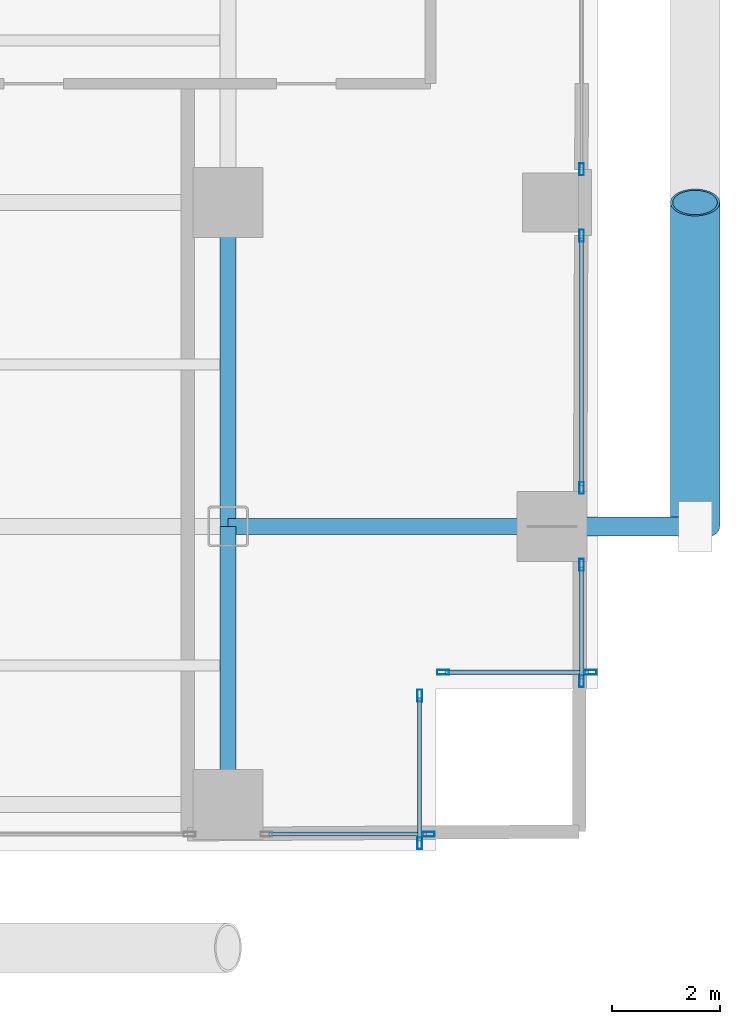
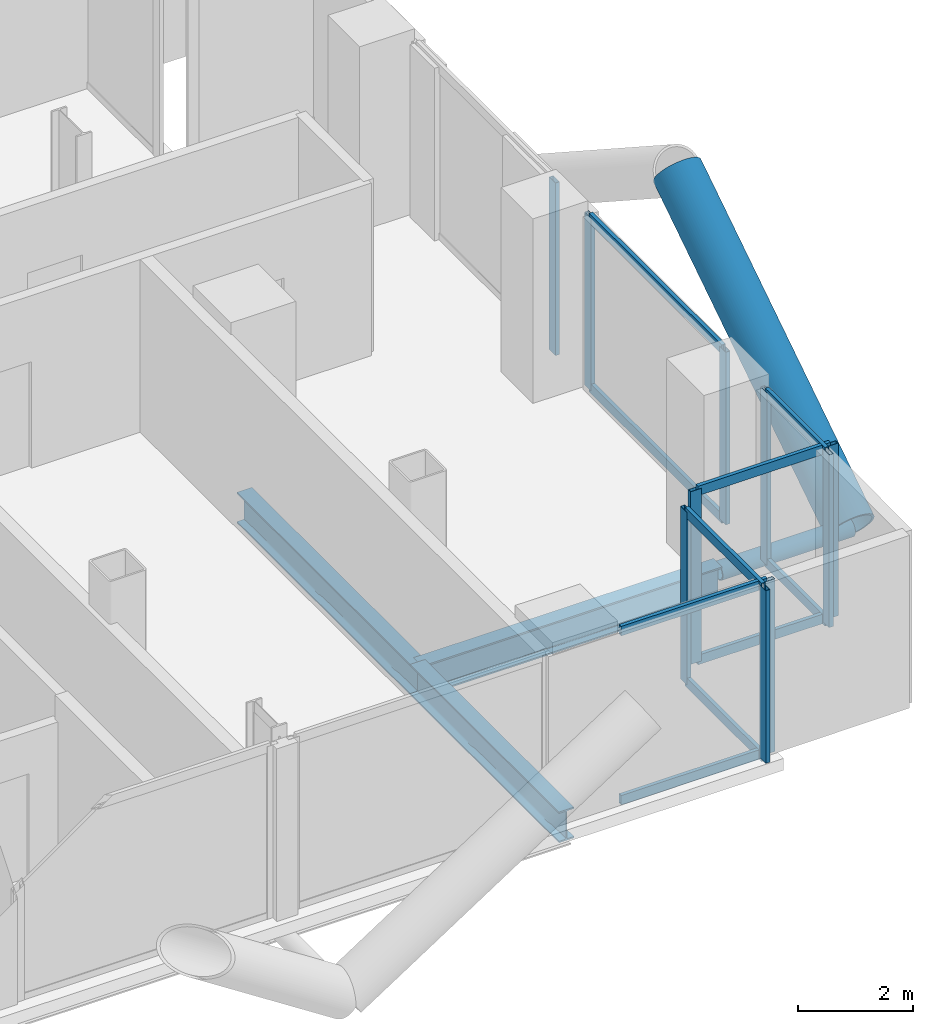
# One storey, part 10 of 25: 22 members, 3 beams, 6 elements without a shape of their own.
"""IFC4 building model written with IfcOpenShell, lengths in metres."""

from ifc_helpers import new_model, si_unit, direction, frame, origin, origin_2d, place, context, subcontext, project, spatial, hollow_rectangle, hollow_circle, i_section, extrude, material, layer, layer_set, material_profile, profile_set, type_object, element, aggregate, save


model = new_model("IFC4")

# Units and contexts
model_context = context("Model", 3, precision=1e-05, world=origin(), true_north=direction((0.0, 1.0)))
body_context = subcontext(model_context, "Body", "Model", "MODEL_VIEW")
ifc_project = project(units=[si_unit("LENGTHUNIT", "METRE"), si_unit("AREAUNIT", "SQUARE_METRE"), si_unit("VOLUMEUNIT", "CUBIC_METRE"), si_unit("PLANEANGLEUNIT", "RADIAN"), si_unit("MASSUNIT", "GRAM", prefix="KILO"), si_unit("THERMODYNAMICTEMPERATUREUNIT", "KELVIN"), si_unit("POWERUNIT", "WATT")], contexts=[model_context])

# Site, building, storey
site_placement = place(None, origin())
site = spatial("IfcSite", under=ifc_project, at=site_placement, CompositionType="ELEMENT")
building_placement = place(site_placement, origin())
building = spatial("IfcBuilding", under=site, at=building_placement, Name="Svarakhadi Broadcast Tower", CompositionType="ELEMENT")
storey_placement = place(building_placement, frame((0.0, 0.0, 79.199951171875)))
storey = spatial("IfcBuildingStorey", under=building, at=storey_placement, Name="L18", CompositionType="ELEMENT", Elevation=79.199951171875)

# Curtain wall, member
ifc_material_1 = material(Name="Anodised Bronze Aluminium AA 6063-T6", Category="aluminium")
ifc_layer = layer(ifc_material_1, 0.219970703125)
ifc_layer_set = layer_set([ifc_layer], Name="Anodised Bronze Aluminium AA 6063-T6")
curtain_wall_type = type_object("IfcCurtainWallType", Name="CW_Sys_02", PredefinedType="NOTDEFINED", material=ifc_layer_set)
curtain_wall_1_placement = place(storey_placement, origin())
curtain_wall_1 = element("IfcCurtainWall", 1, at=curtain_wall_1_placement, inside=storey, type_object=curtain_wall_type, Name="L18 Unitised Facade Curtain Wall 13 Bay 2", PredefinedType="NOTDEFINED")
ifc_material_profile_1 = material_profile(ifc_material_1, hollow_rectangle(XDim=0.0849609375, YDim=0.219970703125, WallThickness=0.006103515625, at=origin_2d()), Name="ALU MULLION 220x85x6")
ifc_profile_set_1 = profile_set([ifc_material_profile_1], Name="Anodised Bronze Aluminium AA 6063-T6")
member_type_1 = type_object("IfcMemberType", Name="CW_Sys_02_Mul", PredefinedType="MULLION", material=ifc_profile_set_1)
member_1_placement = place(storey_placement, frame((53.699951171875, 12.612548828125, 0.0), z_axis=(0.0, 0.0, 1.0), x_axis=(1.0, 0.0, 0.0)))
member_1 = element("IfcMember", 2, at=member_1_placement, type_object=member_type_1, Name="CW-02 mullion 2", PredefinedType="MULLION", context=body_context, shape_type="SweptSolid", body=[
    extrude(hollow_rectangle(XDim=0.0849609375, YDim=0.219970703125, WallThickness=0.006103515625, at=origin_2d()), origin(), (0.0, 0.0, 1.0), 3.650146484375),
])
aggregate(curtain_wall_1, [member_1])

# Curtain wall, members
curtain_wall_2_placement = place(storey_placement, origin())
curtain_wall_2 = element("IfcCurtainWall", 3, at=curtain_wall_2_placement, inside=storey, type_object=curtain_wall_type, Name="L18 Unitised Facade Curtain Wall 13 Bay 3", PredefinedType="NOTDEFINED")
member_2_placement = place(storey_placement, frame((53.699951171875, 11.387451171875, 0.0), z_axis=(0.0, 0.0, 1.0), x_axis=(1.0, 0.0, 0.0)))
member_2 = element("IfcMember", 4, at=member_2_placement, type_object=member_type_1, Name="CW-02 mullion 1", PredefinedType="MULLION", context=body_context, shape_type="SweptSolid", body=[
    extrude(hollow_rectangle(XDim=0.0849609375, YDim=0.219970703125, WallThickness=0.006103515625, at=origin_2d()), origin(), (0.0, 0.0, 1.0), 3.650146484375),
])
member_3_placement = place(storey_placement, frame((53.699951171875, 6.71240234375, 0.0), z_axis=(0.0, 0.0, 1.0), x_axis=(1.0, 0.0, 0.0)))
member_3 = element("IfcMember", 5, at=member_3_placement, type_object=member_type_1, Name="CW-02 mullion 2", PredefinedType="MULLION", context=body_context, shape_type="SweptSolid", body=[
    extrude(hollow_rectangle(XDim=0.0849609375, YDim=0.219970703125, WallThickness=0.006103515625, at=origin_2d()), origin(), (0.0, 0.0, 1.0), 3.650146484375),
])

curtain_wall_3_placement = place(storey_placement, origin())
curtain_wall_3 = element("IfcCurtainWall", 6, at=curtain_wall_3_placement, inside=storey, type_object=curtain_wall_type, Name="L18 Unitised Facade Curtain Wall 13 Bay 4", PredefinedType="NOTDEFINED")
member_4_placement = place(storey_placement, frame((53.699951171875, 5.28759765625, 0.0), z_axis=(0.0, 0.0, 1.0), x_axis=(1.0, 0.0, 0.0)))
member_4 = element("IfcMember", 7, at=member_4_placement, type_object=member_type_1, Name="CW-02 mullion 1", PredefinedType="MULLION", context=body_context, shape_type="SweptSolid", body=[
    extrude(hollow_rectangle(XDim=0.0849609375, YDim=0.219970703125, WallThickness=0.006103515625, at=origin_2d()), origin(), (0.0, 0.0, 1.0), 3.650146484375),
])
member_5_placement = place(storey_placement, frame((53.699951171875, 3.132568359375, 0.0), z_axis=(0.0, 0.0, 1.0), x_axis=(1.0, 0.0, 0.0)))
member_5 = element("IfcMember", 8, at=member_5_placement, type_object=member_type_1, Name="CW-02 mullion 2", PredefinedType="MULLION", context=body_context, shape_type="SweptSolid", body=[
    extrude(hollow_rectangle(XDim=0.0849609375, YDim=0.219970703125, WallThickness=0.006103515625, at=origin_2d()), origin(), (0.0, 0.0, 1.0), 3.650146484375),
])

curtain_wall_4_placement = place(storey_placement, origin())
curtain_wall_4 = element("IfcCurtainWall", 9, at=curtain_wall_4_placement, inside=storey, type_object=curtain_wall_type, Name="L18 Unitised Facade Curtain Wall 14", PredefinedType="NOTDEFINED")
member_6_placement = place(storey_placement, frame((53.867431640625, 3.300048828125, 0.0), z_axis=(0.0, 0.0, 1.0), x_axis=(0.0, -1.0, 0.0)))
member_6 = element("IfcMember", 10, at=member_6_placement, type_object=member_type_1, Name="CW-02 mullion 1", PredefinedType="MULLION", context=body_context, shape_type="SweptSolid", body=[
    extrude(hollow_rectangle(XDim=0.0849609375, YDim=0.219970703125, WallThickness=0.006103515625, at=origin_2d()), origin(), (0.0, 0.0, 1.0), 3.650146484375),
])
member_7_placement = place(storey_placement, frame((51.132568359375, 3.300048828125, 0.0), z_axis=(0.0, 0.0, 1.0), x_axis=(0.0, -1.0, 0.0)))
member_7 = element("IfcMember", 11, at=member_7_placement, type_object=member_type_1, Name="CW-02 mullion 2", PredefinedType="MULLION", context=body_context, shape_type="SweptSolid", body=[
    extrude(hollow_rectangle(XDim=0.0849609375, YDim=0.219970703125, WallThickness=0.006103515625, at=origin_2d()), origin(), (0.0, 0.0, 1.0), 3.650146484375),
])

curtain_wall_5_placement = place(storey_placement, origin())
curtain_wall_5 = element("IfcCurtainWall", 12, at=curtain_wall_5_placement, inside=storey, type_object=curtain_wall_type, Name="L18 Unitised Facade Curtain Wall 15", PredefinedType="NOTDEFINED")
member_8_placement = place(storey_placement, frame((50.699951171875, 2.867431640625, 0.0), z_axis=(0.0, 0.0, 1.0), x_axis=(1.0, 0.0, 0.0)))
member_8 = element("IfcMember", 13, at=member_8_placement, type_object=member_type_1, Name="CW-02 mullion 1", PredefinedType="MULLION", context=body_context, shape_type="SweptSolid", body=[
    extrude(hollow_rectangle(XDim=0.0849609375, YDim=0.219970703125, WallThickness=0.006103515625, at=origin_2d()), origin(), (0.0, 0.0, 1.0), 3.650146484375),
])
member_9_placement = place(storey_placement, frame((50.699951171875, 0.132568359375, 0.0), z_axis=(0.0, 0.0, 1.0), x_axis=(1.0, 0.0, 0.0)))
member_9 = element("IfcMember", 14, at=member_9_placement, type_object=member_type_1, Name="CW-02 mullion 2", PredefinedType="MULLION", context=body_context, shape_type="SweptSolid", body=[
    extrude(hollow_rectangle(XDim=0.0849609375, YDim=0.219970703125, WallThickness=0.006103515625, at=origin_2d()), origin(), (0.0, 0.0, 1.0), 3.650146484375),
])

# Curtain wall, member
curtain_wall_6_placement = place(storey_placement, origin())
curtain_wall_6 = element("IfcCurtainWall", 15, at=curtain_wall_6_placement, inside=storey, type_object=curtain_wall_type, Name="L18 South Curtain Wall 16 Bay 1", PredefinedType="NOTDEFINED")
member_10_placement = place(storey_placement, frame((50.867431640625, 0.300048828125, 0.0), z_axis=(0.0, 0.0, 1.0), x_axis=(0.0, -1.0, 0.0)))
member_10 = element("IfcMember", 16, at=member_10_placement, type_object=member_type_1, Name="CW-02 mullion 1", PredefinedType="MULLION", context=body_context, shape_type="SweptSolid", body=[
    extrude(hollow_rectangle(XDim=0.0849609375, YDim=0.219970703125, WallThickness=0.006103515625, at=origin_2d()), origin(), (0.0, 0.0, 1.0), 3.650146484375),
])

# Member
ifc_material_profile_2 = material_profile(ifc_material_1, hollow_rectangle(XDim=0.074951171875, YDim=0.199951171875, WallThickness=0.0048828125, at=origin_2d()), Name="ALU TRANSOM 200x75x5")
ifc_profile_set_2 = profile_set([ifc_material_profile_2], Name="Anodised Bronze Aluminium AA 6063-T6")
member_type_2 = type_object("IfcMemberType", Name="CW_Sys_02_Trn", PredefinedType="USERDEFINED", material=ifc_profile_set_2)
member_11_placement = place(storey_placement, frame((53.699951171875, 11.344970703125, 0.03759765625), z_axis=(0.0, -1.0, 0.0), x_axis=(1.0, 0.0, 0.0)))
member_11 = element("IfcMember", 17, at=member_11_placement, type_object=member_type_2, Name="CW-02 transom 1.1", ObjectType="TRANSOM", PredefinedType="USERDEFINED", context=body_context, shape_type="SweptSolid", body=[
    extrude(hollow_rectangle(XDim=0.074951171875, YDim=0.199951171875, WallThickness=0.0048828125, at=origin_2d()), origin(), (0.0, 0.0, 1.0), 4.590087890625),
])

member_12_placement = place(storey_placement, frame((53.699951171875, 11.344970703125, 3.612548828125), z_axis=(0.0, -1.0, 0.0), x_axis=(1.0, 0.0, 0.0)))
member_12 = element("IfcMember", 18, at=member_12_placement, type_object=member_type_2, Name="CW-02 transom 1.2", ObjectType="TRANSOM", PredefinedType="USERDEFINED", context=body_context, shape_type="SweptSolid", body=[
    extrude(hollow_rectangle(XDim=0.074951171875, YDim=0.199951171875, WallThickness=0.0048828125, at=origin_2d()), origin(), (0.0, 0.0, 1.0), 4.590087890625),
])

aggregate(curtain_wall_2, [member_2, member_3, member_11, member_12])

member_13_placement = place(storey_placement, frame((53.699951171875, 5.2451171875, 0.03759765625), z_axis=(0.0, -1.0, 0.0), x_axis=(1.0, 0.0, 0.0)))
member_13 = element("IfcMember", 19, at=member_13_placement, type_object=member_type_2, Name="CW-02 transom 1.1", ObjectType="TRANSOM", PredefinedType="USERDEFINED", context=body_context, shape_type="SweptSolid", body=[
    extrude(hollow_rectangle(XDim=0.074951171875, YDim=0.199951171875, WallThickness=0.0048828125, at=origin_2d()), origin(), (0.0, 0.0, 1.0), 2.070068359375),
])

member_14_placement = place(storey_placement, frame((53.699951171875, 5.2451171875, 3.612548828125), z_axis=(0.0, -1.0, 0.0), x_axis=(1.0, 0.0, 0.0)))
member_14 = element("IfcMember", 20, at=member_14_placement, type_object=member_type_2, Name="CW-02 transom 1.2", ObjectType="TRANSOM", PredefinedType="USERDEFINED", context=body_context, shape_type="SweptSolid", body=[
    extrude(hollow_rectangle(XDim=0.074951171875, YDim=0.199951171875, WallThickness=0.0048828125, at=origin_2d()), origin(), (0.0, 0.0, 1.0), 2.070068359375),
])

aggregate(curtain_wall_3, [member_4, member_5, member_13, member_14])

member_15_placement = place(storey_placement, frame((53.824951171875, 3.300048828125, 0.03759765625), z_axis=(-1.0, 0.0, 0.0), x_axis=(0.0, -1.0, 0.0)))
member_15 = element("IfcMember", 21, at=member_15_placement, type_object=member_type_2, Name="CW-02 transom 1.1", ObjectType="TRANSOM", PredefinedType="USERDEFINED", context=body_context, shape_type="SweptSolid", body=[
    extrude(hollow_rectangle(XDim=0.074951171875, YDim=0.199951171875, WallThickness=0.0048828125, at=origin_2d()), origin(), (0.0, 0.0, 1.0), 2.64990234375),
])

member_16_placement = place(storey_placement, frame((53.824951171875, 3.300048828125, 3.612548828125), z_axis=(-1.0, 0.0, 0.0), x_axis=(0.0, -1.0, 0.0)))
member_16 = element("IfcMember", 22, at=member_16_placement, type_object=member_type_2, Name="CW-02 transom 1.2", ObjectType="TRANSOM", PredefinedType="USERDEFINED", context=body_context, shape_type="SweptSolid", body=[
    extrude(hollow_rectangle(XDim=0.074951171875, YDim=0.199951171875, WallThickness=0.0048828125, at=origin_2d()), origin(), (0.0, 0.0, 1.0), 2.64990234375),
])

aggregate(curtain_wall_4, [member_6, member_7, member_15, member_16])

member_17_placement = place(storey_placement, frame((50.699951171875, 2.824951171875, 0.03759765625), z_axis=(0.0, -1.0, 0.0), x_axis=(1.0, 0.0, 0.0)))
member_17 = element("IfcMember", 23, at=member_17_placement, type_object=member_type_2, Name="CW-02 transom 1.1", ObjectType="TRANSOM", PredefinedType="USERDEFINED", context=body_context, shape_type="SweptSolid", body=[
    extrude(hollow_rectangle(XDim=0.074951171875, YDim=0.199951171875, WallThickness=0.0048828125, at=origin_2d()), origin(), (0.0, 0.0, 1.0), 2.64990234375),
])

member_18_placement = place(storey_placement, frame((50.699951171875, 2.824951171875, 3.612548828125), z_axis=(0.0, -1.0, 0.0), x_axis=(1.0, 0.0, 0.0)))
member_18 = element("IfcMember", 24, at=member_18_placement, type_object=member_type_2, Name="CW-02 transom 1.2", ObjectType="TRANSOM", PredefinedType="USERDEFINED", context=body_context, shape_type="SweptSolid", body=[
    extrude(hollow_rectangle(XDim=0.074951171875, YDim=0.199951171875, WallThickness=0.0048828125, at=origin_2d()), origin(), (0.0, 0.0, 1.0), 2.64990234375),
])

aggregate(curtain_wall_5, [member_8, member_9, member_17, member_18])

member_19_placement = place(storey_placement, frame((50.824951171875, 0.300048828125, 0.03759765625), z_axis=(-1.0, 0.0, 0.0), x_axis=(0.0, -1.0, 0.0)))
member_19 = element("IfcMember", 25, at=member_19_placement, type_object=member_type_2, Name="CW-02 transom 1.1", ObjectType="TRANSOM", PredefinedType="USERDEFINED", context=body_context, shape_type="SweptSolid", body=[
    extrude(hollow_rectangle(XDim=0.074951171875, YDim=0.199951171875, WallThickness=0.0048828125, at=origin_2d()), origin(), (0.0, 0.0, 1.0), 2.919921875),
])

member_20_placement = place(storey_placement, frame((50.824951171875, 0.300048828125, 3.612548828125), z_axis=(-1.0, 0.0, 0.0), x_axis=(0.0, -1.0, 0.0)))
member_20 = element("IfcMember", 26, at=member_20_placement, type_object=member_type_2, Name="CW-02 transom 1.2", ObjectType="TRANSOM", PredefinedType="USERDEFINED", context=body_context, shape_type="SweptSolid", body=[
    extrude(hollow_rectangle(XDim=0.074951171875, YDim=0.199951171875, WallThickness=0.0048828125, at=origin_2d()), origin(), (0.0, 0.0, 1.0), 2.919921875),
])

aggregate(curtain_wall_6, [member_10, member_19, member_20])

# Members
ifc_material_2 = material(Name="Steel S460ML (IS 2062 E450BR)", Category="steel")
ifc_material_profile_3 = material_profile(ifc_material_2, hollow_circle(Radius=0.45703125, WallThickness=0.044921875, at=origin_2d()), Name="CHS 914x45")
ifc_profile_set_3 = profile_set([ifc_material_profile_3], Name="Steel S460ML (IS 2062 E450BR)")
member_type_3 = type_object("IfcMemberType", Name="Exo_Brace_CHS914", PredefinedType="BRACE", material=ifc_profile_set_3)
member_21_placement = place(storey_placement, frame((55.800048828125, 6.0, -0.427734375), z_axis=(0.0, 0.838449851971, 0.544978757136), x_axis=(-1.0, 0.0, 0.0)))
element("IfcMember", 27, at=member_21_placement, inside=storey, type_object=member_type_3, Name="L18 Exposed Bronze Exoskeleton Diagonal E08", PredefinedType="BRACE", context=body_context, shape_type="SweptSolid", body=[
    extrude(hollow_circle(Radius=0.45703125, WallThickness=0.044921875, at=origin_2d()), origin(), (0.0, 0.0, 1.0), 7.156005859375),
])
ifc_material_profile_4 = material_profile(ifc_material_2, hollow_circle(Radius=0.177734375, WallThickness=0.02001953125, at=origin_2d()), Name="CHS 355.6x20")
ifc_profile_set_4 = profile_set([ifc_material_profile_4], Name="Steel S460ML (IS 2062 E450BR)")
member_type_4 = type_object("IfcMemberType", Name="Exo_Radial_Strut_Z1", PredefinedType="STRUT", material=ifc_profile_set_4)
member_22_placement = place(storey_placement, frame((55.800048828125, 6.0, -0.427734375), z_axis=(-1.0, 0.0, 0.0), x_axis=(0.0, -1.0, 0.0)))
element("IfcMember", 28, at=member_22_placement, inside=storey, type_object=member_type_4, Name="L18 Exoskeleton Radial Tie Strut E09", PredefinedType="STRUT", context=body_context, shape_type="SweptSolid", body=[
    extrude(hollow_circle(Radius=0.177734375, WallThickness=0.02001953125, at=origin_2d()), origin(), (0.0, 0.0, 1.0), 2.650146484375),
])

# Beams
ifc_material_3 = material(Name="Steel S355J2 (IS 2062 E350C)", Category="steel")
ifc_material_profile_5 = material_profile(ifc_material_3, i_section(OverallWidth=0.300048828125, OverallDepth=0.64990234375, WebThickness=0.01611328125, FlangeThickness=0.031005859375, FilletRadius=0.027099609375, at=origin_2d()), Name="WPB 650x300x225")
ifc_profile_set_5 = profile_set([ifc_material_profile_5], Name="Steel S355J2 (IS 2062 E350C)")
beam_type = type_object("IfcBeamType", Name="Girder_WPB650", PredefinedType="USERDEFINED", material=ifc_profile_set_5)
beam_1_placement = place(storey_placement, frame((47.14990234375, 6.0, -0.574951171875), z_axis=(1.0, 0.0, 0.0), x_axis=(0.0, 1.0, 0.0)))
element("IfcBeam", 29, at=beam_1_placement, inside=storey, type_object=beam_type, Name="L18 Primary E-W Girder G018", ObjectType="GIRDER", PredefinedType="USERDEFINED", context=body_context, shape_type="SweptSolid", body=[
    extrude(i_section(OverallWidth=0.300048828125, OverallDepth=0.64990234375, WebThickness=0.01611328125, FlangeThickness=0.031005859375, FilletRadius=0.027099609375, at=origin_2d()), origin(), (0.0, 0.0, 1.0), 6.0),
])
beam_2_placement = place(storey_placement, frame((47.14990234375, 0.85009765625, -0.574951171875), z_axis=(0.0, 1.0, 0.0), x_axis=(-1.0, 0.0, 0.0)))
element("IfcBeam", 30, at=beam_2_placement, inside=storey, type_object=beam_type, Name="L18 Primary N-S Girder G082", ObjectType="GIRDER", PredefinedType="USERDEFINED", context=body_context, shape_type="SweptSolid", body=[
    extrude(i_section(OverallWidth=0.300048828125, OverallDepth=0.64990234375, WebThickness=0.01611328125, FlangeThickness=0.031005859375, FilletRadius=0.027099609375, at=origin_2d()), origin(), (0.0, 0.0, 1.0), 5.14990234375),
])
beam_3_placement = place(storey_placement, frame((47.14990234375, 6.0, -0.574951171875), z_axis=(0.0, 1.0, 0.0), x_axis=(-1.0, 0.0, 0.0)))
element("IfcBeam", 31, at=beam_3_placement, inside=storey, type_object=beam_type, Name="L18 Primary N-S Girder G083", ObjectType="GIRDER", PredefinedType="USERDEFINED", context=body_context, shape_type="SweptSolid", body=[
    extrude(i_section(OverallWidth=0.300048828125, OverallDepth=0.64990234375, WebThickness=0.01611328125, FlangeThickness=0.031005859375, FilletRadius=0.027099609375, at=origin_2d()), origin(), (0.0, 0.0, 1.0), 6.0),
])

save(model, "model.ifc")
